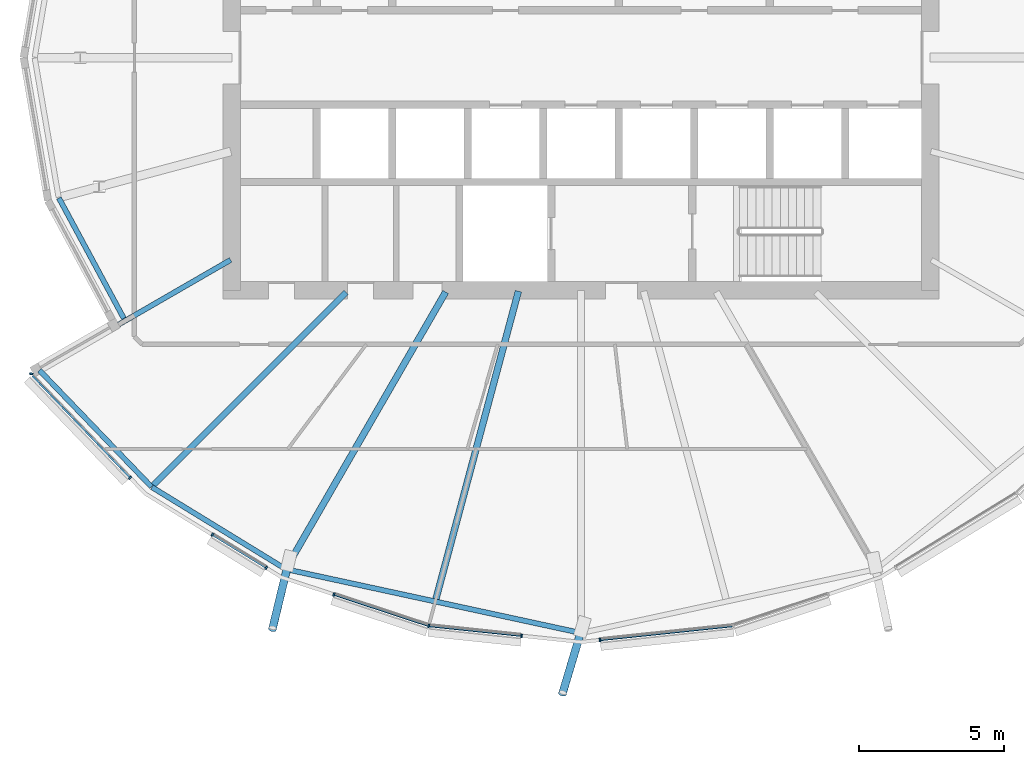
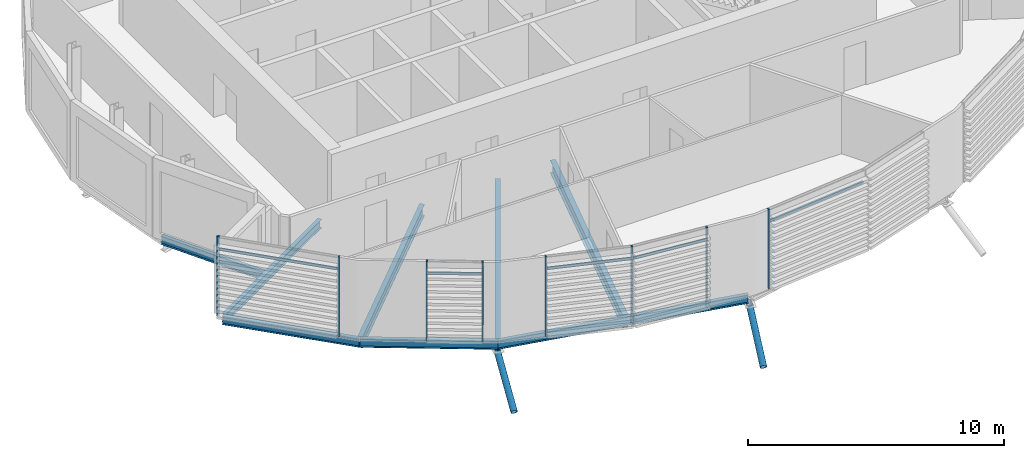
# One storey, part 3 of 37: 15 members, 8 beams, 1 element without a shape of its own.
"""IFC4 building model written with IfcOpenShell, lengths in metres."""

import ifcopenshell
import ifcopenshell.guid

model = None  # the IFC model being written
_history = None  # IfcOwnerHistory: only IFC2X3 demands one
_inside = {}  # id of a spatial element -> (the spatial element, [elements in it])
_under = {}  # id of a project, library or spatial element -> (it, [spatial elements below it])
_declared = {}  # id of a project -> (the project, [libraries it declares])
_typed = {}  # id of a type object -> (the type object, [elements of that type])
_made_of = {}  # id of a material, layer set ... -> (it, [elements and type objects made of it])


def new_model(schema):
    """Start an empty IFC model of exactly this schema.

    Asked for "IFC4X3", IfcOpenShell would pick the latest addendum, in which some entities
    have other attributes; the version numbers below select the first issue.
    IFC2X3 requires an IfcOwnerHistory on every rooted entity: one is made here for all.
    """
    global model, _history
    if schema == "IFC4X3":
        model = ifcopenshell.file(schema_version=(4, 3, 0, 0))
    else:
        model = ifcopenshell.file(schema=schema)
    _inside.clear()
    _under.clear()
    _declared.clear()
    _typed.clear()
    _made_of.clear()
    _history = None
    if model.schema == "IFC2X3":
        org = make("IfcOrganization", Name="unknown")
        user = make(
            "IfcPersonAndOrganization",
            ThePerson=make("IfcPerson", FamilyName="unknown"),
            TheOrganization=org,
        )
        app = make(
            "IfcApplication",
            ApplicationDeveloper=org,
            Version="unknown",
            ApplicationFullName="unknown",
            ApplicationIdentifier="unknown",
        )
        _history = make(
            "IfcOwnerHistory",
            OwningUser=user,
            OwningApplication=app,
            ChangeAction="ADDED",
            CreationDate=0,
        )
    return model


def make(cls, **values):
    """One entity of the class cls with the attributes given. An attribute that is None is left unset."""
    return model.create_entity(
        cls, **{name: value for name, value in values.items() if value is not None}
    )


def rooted(cls, **values):
    """An entity with a GlobalId (a new one), such as an element, a storey or a relation."""
    return make(cls, GlobalId=ifcopenshell.guid.new(), OwnerHistory=_history, **values)


def si_unit(unit_type, name, prefix=None):
    """IfcSIUnit, for example si_unit("LENGTHUNIT", "METRE", prefix="MILLI")."""
    return make("IfcSIUnit", UnitType=unit_type, Prefix=prefix, Name=name)


def assignment(units):
    """IfcUnitAssignment: the units of a project."""
    return None if units is None else make("IfcUnitAssignment", Units=units)


def point(xyz):
    """IfcCartesianPoint."""
    return None if xyz is None else make("IfcCartesianPoint", Coordinates=xyz)


def direction(xyz):
    """IfcDirection."""
    return None if xyz is None else make("IfcDirection", DirectionRatios=xyz)


def frame(location, z_axis=None, x_axis=None):
    """IfcAxis2Placement3D, a coordinate frame: its origin and axes. An axis left out is left unset."""
    return make(
        "IfcAxis2Placement3D",
        Location=point(location),
        Axis=direction(z_axis),
        RefDirection=direction(x_axis),
    )


def frame_2d(location, x_axis=None):
    """IfcAxis2Placement2D, a coordinate frame in the plane: its origin and x axis."""
    return make(
        "IfcAxis2Placement2D", Location=point(location), RefDirection=direction(x_axis)
    )


def origin():
    """The frame at (0, 0, 0) with its axes left unset."""
    return frame((0.0, 0.0, 0.0))


def origin_2d():
    """The frame at (0, 0) in the plane with its x axis left unset."""
    return frame_2d((0.0, 0.0))


def place(relative_to, where):
    """IfcLocalPlacement: puts the frame where relative to a parent placement (None: the world)."""
    return make(
        "IfcLocalPlacement", PlacementRelTo=relative_to, RelativePlacement=where
    )


def context(
    kind, dimensions, precision=None, world=None, true_north=None, identifier=None
):
    """IfcGeometricRepresentationContext, for example the 3D "Model" context."""
    return make(
        "IfcGeometricRepresentationContext",
        ContextIdentifier=identifier,
        ContextType=kind,
        CoordinateSpaceDimension=dimensions,
        Precision=precision,
        WorldCoordinateSystem=world,
        TrueNorth=true_north,
    )


def subcontext(parent, identifier, kind, view, scale=None):
    """IfcGeometricRepresentationSubContext, for example "Body" below "Model"."""
    return make(
        "IfcGeometricRepresentationSubContext",
        ContextIdentifier=identifier,
        ContextType=kind,
        ParentContext=parent,
        TargetScale=scale,
        TargetView=view,
    )


def project(units=None, contexts=None):
    """IfcProject with its units and contexts."""
    return rooted(
        "IfcProject",
        Name="project",
        RepresentationContexts=contexts,
        UnitsInContext=assignment(units),
    )


def spatial(cls, under=None, at=None, **own):
    """A site, building, storey or space (cls), placed at a placement, below another one or the project."""
    s = rooted(cls, ObjectPlacement=at, **own)
    if under is not None:
        _under.setdefault(under.id(), (under, []))[1].append(s)
    return s


def profile(cls, at=None, kind="AREA", **sizes):
    """A parametric profile (cls). Its sizes go by their IFC names, for example OverallWidth=200.0."""
    return make(cls, ProfileType=kind, Position=at, **sizes)


def rectangle(**sizes):
    """IfcRectangleProfileDef."""
    return profile("IfcRectangleProfileDef", **sizes)


def hollow_circle(**sizes):
    """IfcCircleHollowProfileDef."""
    return profile("IfcCircleHollowProfileDef", **sizes)


def i_section(**sizes):
    """IfcIShapeProfileDef."""
    return profile("IfcIShapeProfileDef", **sizes)


def extrude(swept, where, along, depth):
    """IfcExtrudedAreaSolid: the profile swept, set in the frame where, extruded along a direction by depth."""
    return make(
        "IfcExtrudedAreaSolid",
        SweptArea=swept,
        Position=where,
        ExtrudedDirection=direction(along),
        Depth=depth,
    )


def clip(a, b, op="DIFFERENCE"):
    """IfcBooleanClippingResult: the solid a cut by the half space b."""
    return make(
        "IfcBooleanClippingResult", Operator=op, FirstOperand=a, SecondOperand=b
    )


def halfspace(plane, agree):
    """IfcHalfSpaceSolid: all space on one side of the plane z = 0 of the frame plane."""
    return make(
        "IfcHalfSpaceSolid",
        BaseSurface=make("IfcPlane", Position=plane),
        AgreementFlag=agree,
    )


def shape(context_of_items, identifier, shape_type, items):
    """IfcShapeRepresentation: the items that make up one representation, for example the "Body"."""
    return make(
        "IfcShapeRepresentation",
        ContextOfItems=context_of_items,
        RepresentationIdentifier=identifier,
        RepresentationType=shape_type,
        Items=items,
    )


def material(Name=None, Category=None):
    """IfcMaterial."""
    return make("IfcMaterial", Name=Name, Category=Category)


def material_profile(
    of_material, cross_section, Name=None, Category=None, Priority=None
):
    """IfcMaterialProfile: a cross section and its material."""
    return make(
        "IfcMaterialProfile",
        Name=Name,
        Material=of_material,
        Profile=cross_section,
        Priority=Priority,
        Category=Category,
    )


def profile_set(profiles, Name=None, composite=None):
    """IfcMaterialProfileSet."""
    return make(
        "IfcMaterialProfileSet",
        Name=Name,
        MaterialProfiles=profiles,
        CompositeProfile=composite,
    )


def made_of(thing, what):
    """Note that an element or type object is made of a material, layer set ...; save() writes the relation."""
    if what is not None:
        _made_of.setdefault(what.id(), (what, []))[1].append(thing)
    return thing


def type_object(cls, material=None, **own):
    """A type object (cls), such as IfcWallType, which elements share."""
    return made_of(rooted(cls, **own), material)


def element(
    cls,
    number,
    at=None,
    inside=None,
    cuts=None,
    type_object=None,
    material=None,
    context=None,
    identifier="Body",
    shape_type=None,
    held_by="IfcProductDefinitionShape",
    body=None,
    shapes=None,
    **own,
):
    """One element of the class cls, such as IfcWall. Its Tag is "e" and its number.

    at: its placement. inside: the storey or other place that contains it. cuts: it is an
    opening in that element (IfcRelVoidsElement). A single representation is given by context,
    identifier, shape_type and body (its items); several are given by shapes. held_by: the class
    of the entity that holds the representations. save() writes the other relations.
    """
    e = rooted(cls, Tag="e%d" % number, ObjectPlacement=at, **own)
    if body is not None:
        shapes = [shape(context, identifier, shape_type, body)]
    if shapes is not None:
        e.Representation = make(held_by, Representations=shapes)
    if inside is not None:
        _inside.setdefault(inside.id(), (inside, []))[1].append(e)
    if cuts is not None:
        rooted(
            "IfcRelVoidsElement", RelatingBuildingElement=cuts, RelatedOpeningElement=e
        )
    if type_object is not None:
        _typed.setdefault(type_object.id(), (type_object, []))[1].append(e)
    return made_of(e, material)


def aggregate(whole, parts):
    """IfcRelAggregates: a whole, such as a stair, and the parts it consists of."""
    return rooted("IfcRelAggregates", RelatingObject=whole, RelatedObjects=parts)


def save(model, path):
    """Write the relations noted so far, then the file.

    IfcRelAggregates (storeys below a building ...), IfcRelContainedInSpatialStructure (elements
    in a storey), IfcRelDefinesByType, IfcRelAssociatesMaterial and IfcRelDeclares: one each for
    every whole, place, type object, material and project.
    """
    for whole, parts in _under.values():
        aggregate(whole, parts)
    for where, things in _inside.values():
        rooted(
            "IfcRelContainedInSpatialStructure",
            RelatedElements=things,
            RelatingStructure=where,
        )
    for kind, things in _typed.values():
        rooted("IfcRelDefinesByType", RelatedObjects=things, RelatingType=kind)
    for what, things in _made_of.values():
        rooted("IfcRelAssociatesMaterial", RelatedObjects=things, RelatingMaterial=what)
    for by, libraries in _declared.values():
        rooted("IfcRelDeclares", RelatingContext=by, RelatedDefinitions=libraries)
    model.write(path)


model = new_model("IFC4")

# Units and contexts
model_context = context("Model", 3, precision=1e-05, world=origin(), true_north=direction((0.0, 1.0)))
body_context = subcontext(model_context, "Body", "Model", "MODEL_VIEW")
ifc_project = project(units=[si_unit("LENGTHUNIT", "METRE"), si_unit("AREAUNIT", "SQUARE_METRE"), si_unit("VOLUMEUNIT", "CUBIC_METRE"), si_unit("PLANEANGLEUNIT", "RADIAN"), si_unit("MASSUNIT", "GRAM", prefix="KILO")], contexts=[model_context])

# Site, building, storey
site_placement = place(None, origin())
site = spatial("IfcSite", under=ifc_project, at=site_placement, CompositionType="ELEMENT")
building_placement = place(site_placement, origin())
building = spatial("IfcBuilding", under=site, at=building_placement, Name="Rimbun Link Towers", CompositionType="ELEMENT")
storey_placement = place(building_placement, frame((0.0, 0.0, 162.699951171875)))
storey = spatial("IfcBuildingStorey", under=building, at=storey_placement, Name="L39", CompositionType="ELEMENT", Elevation=162.699951171875)

# Curtain wall, members
ifc_material_1 = material(Name="Aluminium 6063-T6 and low-iron glass", Category="aluminium")
curtain_wall_type = type_object("IfcCurtainWallType", Name="CW1-Z3 unitised vision wall (zone 3)", PredefinedType="NOTDEFINED", material=ifc_material_1)
curtain_wall_placement = place(storey_placement, origin())
curtain_wall = element("IfcCurtainWall", 1, at=curtain_wall_placement, inside=storey, type_object=curtain_wall_type, Name="CW1 L39 T1", PredefinedType="NOTDEFINED")
ifc_material_2 = material(Name="Aluminium 6063-T6", Category="aluminium")
ifc_material_profile_1 = material_profile(ifc_material_2, rectangle(XDim=0.1201171875, YDim=0.06005859375, at=origin_2d()), Name="MULLION 60X120")
ifc_profile_set_1 = profile_set([ifc_material_profile_1], Name="Aluminium 6063-T6")
member_type_1 = type_object("IfcMemberType", Name="CW1 mullion 60X120", PredefinedType="MULLION", material=ifc_profile_set_1)
member_1_placement = place(storey_placement, frame((-47.255126953125, -14.44287109375, 0.0), z_axis=(0.0, 0.0, 1.0), x_axis=(-0.721847376977, -0.692052284405, 0.0)))
member_1 = element("IfcMember", 2, at=member_1_placement, type_object=member_type_1, Name="CW1 mullion", PredefinedType="MULLION", context=body_context, shape_type="SweptSolid", body=[
    extrude(rectangle(XDim=0.1201171875, YDim=0.06005859375, at=origin_2d()), origin(), (0.0, 0.0, 1.0), 3.800048828125),
])
member_2_placement = place(storey_placement, frame((-50.649658203125, -10.868896484375, 0.0), z_axis=(0.0, 0.0, 1.0), x_axis=(-0.990014643373, 0.140964555497, 0.0)))
member_2 = element("IfcMember", 3, at=member_2_placement, type_object=member_type_1, Name="CW1 mullion", PredefinedType="MULLION", context=body_context, shape_type="SweptSolid", body=[
    extrude(rectangle(XDim=0.1201171875, YDim=0.06005859375, at=origin_2d()), origin(), (0.0, 0.0, 1.0), 3.800048828125),
])
member_3_placement = place(storey_placement, frame((-42.57275390625, -17.542724609375, 0.0), z_axis=(0.0, 0.0, 1.0), x_axis=(-0.523249760653, -0.85217937547, 0.0)))
member_3 = element("IfcMember", 4, at=member_3_placement, type_object=member_type_1, Name="CW1 mullion", PredefinedType="MULLION", context=body_context, shape_type="SweptSolid", body=[
    extrude(rectangle(XDim=0.1201171875, YDim=0.06005859375, at=origin_2d()), origin(), (0.0, 0.0, 1.0), 3.800048828125),
])
member_4_placement = place(storey_placement, frame((-44.423095703125, -16.406494140625, 0.0), z_axis=(0.0, 0.0, 1.0), x_axis=(-0.523249760653, -0.85217937547, 0.0)))
member_4 = element("IfcMember", 5, at=member_4_placement, type_object=member_type_1, Name="CW1 mullion", PredefinedType="MULLION", context=body_context, shape_type="SweptSolid", body=[
    extrude(rectangle(XDim=0.1201171875, YDim=0.06005859375, at=origin_2d()), origin(), (0.0, 0.0, 1.0), 3.800048828125),
])
member_5_placement = place(storey_placement, frame((-36.98291015625, -19.541015625, 0.0), z_axis=(0.0, 0.0, 1.0), x_axis=(-0.210865888506, -0.977515000941, 0.0)))
member_5 = element("IfcMember", 6, at=member_5_placement, type_object=member_type_1, Name="CW1 mullion", PredefinedType="MULLION", context=body_context, shape_type="SweptSolid", body=[
    extrude(rectangle(XDim=0.1201171875, YDim=0.06005859375, at=origin_2d()), origin(), (0.0, 0.0, 1.0), 3.800048828125),
])
member_6_placement = place(storey_placement, frame((-40.245361328125, -18.460205078125, 0.0), z_axis=(0.0, 0.0, 1.0), x_axis=(-0.314555722988, -0.949239009489, 0.0)))
member_6 = element("IfcMember", 7, at=member_6_placement, type_object=member_type_1, Name="CW1 mullion", PredefinedType="MULLION", context=body_context, shape_type="SweptSolid", body=[
    extrude(rectangle(XDim=0.1201171875, YDim=0.06005859375, at=origin_2d()), origin(), (0.0, 0.0, 1.0), 3.800048828125),
])
member_7_placement = place(storey_placement, frame((-33.794921875, -19.876953125, 0.0), z_axis=(0.0, 0.0, 1.0), x_axis=(-0.104740318219, -0.994499605701, 0.0)))
member_7 = element("IfcMember", 8, at=member_7_placement, type_object=member_type_1, Name="CW1 mullion", PredefinedType="MULLION", context=body_context, shape_type="SweptSolid", body=[
    extrude(rectangle(XDim=0.1201171875, YDim=0.06005859375, at=origin_2d()), origin(), (0.0, 0.0, 1.0), 3.800048828125),
])
member_8_placement = place(storey_placement, frame((-31.097412109375, -20.023681640625, 0.0), z_axis=(0.0, 0.0, 1.0), x_axis=(0.104740318219, -0.994499605701, 0.0)))
member_8 = element("IfcMember", 9, at=member_8_placement, type_object=member_type_1, Name="CW1 mullion", PredefinedType="MULLION", context=body_context, shape_type="SweptSolid", body=[
    extrude(rectangle(XDim=0.1201171875, YDim=0.06005859375, at=origin_2d()), origin(), (0.0, 0.0, 1.0), 3.800048828125),
])
ifc_material_3 = material(Name="Aluminium 6063-T6", Category="aluminium")
ifc_material_profile_2 = material_profile(ifc_material_3, rectangle(XDim=0.06005859375, YDim=0.1201171875, at=origin_2d()), Name="TRANSOM 60X120")
ifc_profile_set_2 = profile_set([ifc_material_profile_2], Name="Aluminium 6063-T6")
member_type_2 = type_object("IfcMemberType", Name="CW1 transom 60X120", PredefinedType="USERDEFINED", material=ifc_profile_set_2)
member_9_placement = place(storey_placement, frame((-47.2744140625, -14.419677734375, 3.199951171875), z_axis=(-0.692063709169, 0.721836423611, 0.0), x_axis=(-0.721836423611, -0.692063709169, 0.0)))
member_9 = element("IfcMember", 10, at=member_9_placement, type_object=member_type_2, Name="CW1 transom", ObjectType="TRANSOM", PredefinedType="USERDEFINED", context=body_context, shape_type="SweptSolid", body=[
    extrude(rectangle(XDim=0.06005859375, YDim=0.1201171875, at=origin_2d()), origin(), (0.0, 0.0, 1.0), 4.82177734375),
])
member_10_placement = place(storey_placement, frame((-42.597412109375, -17.525390625, 3.199951171875), z_axis=(-0.852162178984, 0.523277766305, 0.0), x_axis=(-0.523277766305, -0.852162178984, 0.0)))
member_10 = element("IfcMember", 11, at=member_10_placement, type_object=member_type_2, Name="CW1 transom", ObjectType="TRANSOM", PredefinedType="USERDEFINED", context=body_context, shape_type="SweptSolid", body=[
    extrude(rectangle(XDim=0.06005859375, YDim=0.1201171875, at=origin_2d()), origin(), (0.0, 0.0, 1.0), 2.111083984375),
])
member_11_placement = place(storey_placement, frame((-37.01708984375, -19.52783203125, 3.199951171875), z_axis=(-0.949246811547, 0.314532177636, 0.0), x_axis=(-0.314532177636, -0.949246811547, 0.0)))
member_11 = element("IfcMember", 12, at=member_11_placement, type_object=member_type_2, Name="CW1 transom", ObjectType="TRANSOM", PredefinedType="USERDEFINED", context=body_context, shape_type="SweptSolid", body=[
    extrude(rectangle(XDim=0.06005859375, YDim=0.1201171875, at=origin_2d()), origin(), (0.0, 0.0, 1.0), 3.370361328125),
])
member_12_placement = place(storey_placement, frame((-33.82470703125, -19.871826171875, 3.199951171875), z_axis=(-0.994505452921, 0.104684784518, 0.0), x_axis=(-0.104684784518, -0.994505452921, 0.0)))
member_12 = element("IfcMember", 13, at=member_12_placement, type_object=member_type_2, Name="CW1 transom", ObjectType="TRANSOM", PredefinedType="USERDEFINED", context=body_context, shape_type="SweptSolid", body=[
    extrude(rectangle(XDim=0.06005859375, YDim=0.1201171875, at=origin_2d()), origin(), (0.0, 0.0, 1.0), 3.13916015625),
])
member_13_placement = place(storey_placement, frame((-26.553466796875, -19.543212890625, 3.199951171875), z_axis=(-0.99450162093, -0.104721182042, 0.0), x_axis=(0.104721182042, -0.99450162093, 0.0)))
member_13 = element("IfcMember", 14, at=member_13_placement, type_object=member_type_2, Name="CW1 transom", ObjectType="TRANSOM", PredefinedType="USERDEFINED", context=body_context, shape_type="SweptSolid", body=[
    extrude(rectangle(XDim=0.06005859375, YDim=0.1201171875, at=origin_2d()), origin(), (0.0, 0.0, 1.0), 4.5390625),
])
aggregate(curtain_wall, [member_1, member_2, member_3, member_4, member_5, member_6, member_7, member_8, member_9, member_10, member_11, member_12, member_13])

# Members
ifc_material_4 = material(Name="Steel S355J2H", Category="steel")
ifc_material_profile_3 = material_profile(ifc_material_4, hollow_circle(Radius=0.136474609375, WallThickness=0.012451171875, at=origin_2d()), Name="CHS 273x12.5")
ifc_profile_set_3 = profile_set([ifc_material_profile_3], Name="Steel S355J2H")
member_type_3 = type_object("IfcMemberType", Name="Floor edge link CHS 273x12.5", PredefinedType="BRACE", material=ifc_profile_set_3)
member_14_placement = place(storey_placement, frame((-41.83251953125, -17.46337890625, -0.870361328125), z_axis=(-0.20279594437, -0.842239244974, -0.499506615744), x_axis=(0.972214536351, -0.234091638695, 0.0)))
element("IfcMember", 15, at=member_14_placement, inside=storey, type_object=member_type_3, Name="Floor edge link T1 L39 16", PredefinedType="BRACE", context=body_context, shape_type="Clipping", body=[
    clip(extrude(hollow_circle(Radius=0.136474609375, WallThickness=0.012451171875, at=origin_2d()), frame((0.0, 0.0, -0.49365234375)), (0.0, 0.0, 1.0), 3.103515625), halfspace(frame((0.0, 0.0, -0.23193359375), z_axis=(0.0, 0.866310071988, -0.499506615744)), False)),
])
member_15_placement = place(storey_placement, frame((-31.75, -19.730712890625, -0.8701171875), z_axis=(-0.247341327356, -0.827986156364, -0.503250626082), x_axis=(0.95816149615, -0.286228138547, 0.0)))
element("IfcMember", 16, at=member_15_placement, inside=storey, type_object=member_type_3, Name="Floor edge link T1 L39 18", PredefinedType="BRACE", context=body_context, shape_type="Clipping", body=[
    clip(extrude(hollow_circle(Radius=0.136474609375, WallThickness=0.012451171875, at=origin_2d()), frame((0.0, 0.0, -0.488525390625)), (0.0, 0.0, 1.0), 3.08154296875), halfspace(frame((0.0, 0.0, -0.229736328125), z_axis=(0.0, 0.864140502088, -0.503250626082)), False)),
])

# Beams
ifc_material_5 = material(Name="Steel S355J2", Category="steel")
ifc_material_profile_4 = material_profile(ifc_material_5, i_section(OverallWidth=0.177978515625, OverallDepth=0.406494140625, WebThickness=0.0078125, FlangeThickness=0.0126953125, at=origin_2d()), Name="UB 406x178x60")
ifc_profile_set_4 = profile_set([ifc_material_profile_4], Name="Steel S355J2")
beam_type_1 = type_object("IfcBeamType", Name="UB 406x178x60", PredefinedType="BEAM", material=ifc_profile_set_4)
beam_1_placement = place(storey_placement, frame((-43.79541015625, -6.954345703125, -0.353271484375), z_axis=(-0.86602178857, -0.500006261682, 0.0), x_axis=(0.500006261682, -0.86602178857, 0.0)))
element("IfcBeam", 17, at=beam_1_placement, inside=storey, type_object=beam_type_1, Name="Radial beam T1 L39 14", PredefinedType="BEAM", context=body_context, shape_type="SweptSolid", body=[
    extrude(i_section(OverallWidth=0.177978515625, OverallDepth=0.406494140625, WebThickness=0.0078125, FlangeThickness=0.0126953125, at=origin_2d()), origin(), (0.0, 0.0, 1.0), 7.49609375),
])
beam_2_placement = place(storey_placement, frame((-49.699462890625, -4.8251953125, -0.353271484375), z_axis=(0.474746351727, -0.88012266277, 0.0), x_axis=(0.88012266277, 0.474746351727, 0.0)))
element("IfcBeam", 18, at=beam_2_placement, inside=storey, type_object=beam_type_1, Name="Edge beam T1 L39 13 recess", PredefinedType="BEAM", context=body_context, shape_type="SweptSolid", body=[
    extrude(i_section(OverallWidth=0.177978515625, OverallDepth=0.406494140625, WebThickness=0.0078125, FlangeThickness=0.0126953125, at=origin_2d()), origin(), (0.0, 0.0, 1.0), 4.705322265625),
])
beam_3_placement = place(storey_placement, frame((-50.36669921875, -10.74951171875, -0.353271484375), z_axis=(0.692983908202, -0.720953051851, 0.0), x_axis=(0.720953051851, 0.692983908202, 0.0)))
element("IfcBeam", 19, at=beam_3_placement, inside=storey, type_object=beam_type_1, Name="Edge beam T1 L39 14", PredefinedType="BEAM", context=body_context, shape_type="SweptSolid", body=[
    extrude(i_section(OverallWidth=0.177978515625, OverallDepth=0.406494140625, WebThickness=0.0078125, FlangeThickness=0.0126953125, at=origin_2d()), origin(), (0.0, 0.0, 1.0), 5.551513671875),
])
beam_4_placement = place(storey_placement, frame((-46.500244140625, -14.767333984375, -0.353271484375), z_axis=(0.852668932789, -0.522451615996, 0.0), x_axis=(0.522451615996, 0.852668932789, 0.0)))
element("IfcBeam", 20, at=beam_4_placement, inside=storey, type_object=beam_type_1, Name="Edge beam T1 L39 15", PredefinedType="BEAM", context=body_context, shape_type="SweptSolid", body=[
    extrude(i_section(OverallWidth=0.177978515625, OverallDepth=0.406494140625, WebThickness=0.0078125, FlangeThickness=0.0126953125, at=origin_2d()), origin(), (0.0, 0.0, 1.0), 5.39111328125),
])
beam_5_placement = place(storey_placement, frame((-41.901611328125, -17.584716796875, -0.353271484375), z_axis=(0.97739385388, -0.211426711648, 0.0), x_axis=(0.211426711648, 0.97739385388, 0.0)))
element("IfcBeam", 21, at=beam_5_placement, inside=storey, type_object=beam_type_1, Name="Edge beam T1 L39 16-18", PredefinedType="BEAM", context=body_context, shape_type="SweptSolid", body=[
    extrude(i_section(OverallWidth=0.177978515625, OverallDepth=0.406494140625, WebThickness=0.0078125, FlangeThickness=0.0126953125, at=origin_2d()), origin(), (0.0, 0.0, 1.0), 10.26904296875),
])
ifc_material_6 = material(Name="Steel S355J2", Category="steel")
ifc_material_profile_5 = material_profile(ifc_material_6, i_section(OverallWidth=0.209228515625, OverallDepth=0.533203125, WebThickness=0.010009765625, FlangeThickness=0.015625, at=origin_2d()), Name="UB 533x210x92")
ifc_profile_set_5 = profile_set([ifc_material_profile_5], Name="Steel S355J2")
beam_type_2 = type_object("IfcBeamType", Name="UB 533x210x92", PredefinedType="BEAM", material=ifc_profile_set_5)
beam_6_placement = place(storey_placement, frame((-39.82470703125, -8.07470703125, -0.41650390625), z_axis=(-0.707106781187, -0.707106781187, 0.0), x_axis=(0.707106781187, -0.707106781187, 0.0)))
element("IfcBeam", 22, at=beam_6_placement, inside=storey, type_object=beam_type_2, Name="Radial beam T1 L39 15", PredefinedType="BEAM", context=body_context, shape_type="SweptSolid", body=[
    extrude(i_section(OverallWidth=0.209228515625, OverallDepth=0.533203125, WebThickness=0.010009765625, FlangeThickness=0.015625, at=origin_2d()), origin(), (0.0, 0.0, 1.0), 9.365478515625),
])
ifc_material_7 = material(Name="Steel S355J2", Category="steel")
ifc_material_profile_6 = material_profile(ifc_material_7, i_section(OverallWidth=0.2275390625, OverallDepth=0.6025390625, WebThickness=0.010498046875, FlangeThickness=0.014892578125, at=origin_2d()), Name="UB 610x229x101")
ifc_profile_set_6 = profile_set([ifc_material_profile_6], Name="Steel S355J2")
beam_type_3 = type_object("IfcBeamType", Name="UB 610x229x101", PredefinedType="BEAM", material=ifc_profile_set_6)
beam_7_placement = place(storey_placement, frame((-36.402099609375, -8.057861328125, -0.451171875), z_axis=(-0.500006543176, -0.866021626047, 0.0), x_axis=(0.866021626047, -0.500006543176, 0.0)))
element("IfcBeam", 23, at=beam_7_placement, inside=storey, type_object=beam_type_3, Name="Radial beam T1 L39 16", PredefinedType="BEAM", context=body_context, shape_type="SweptSolid", body=[
    extrude(i_section(OverallWidth=0.2275390625, OverallDepth=0.6025390625, WebThickness=0.010498046875, FlangeThickness=0.014892578125, at=origin_2d()), origin(), (0.0, 0.0, 1.0), 10.910400390625),
])
beam_8_placement = place(storey_placement, frame((-33.901611328125, -8.030517578125, -0.451171875), z_axis=(-0.258833388669, -0.965921982828, 0.0), x_axis=(0.965921982828, -0.258833388669, 0.0)))
element("IfcBeam", 24, at=beam_8_placement, inside=storey, type_object=beam_type_3, Name="Radial beam T1 L39 17", PredefinedType="BEAM", context=body_context, shape_type="SweptSolid", body=[
    extrude(i_section(OverallWidth=0.2275390625, OverallDepth=0.6025390625, WebThickness=0.010498046875, FlangeThickness=0.014892578125, at=origin_2d()), origin(), (0.0, 0.0, 1.0), 10.952880859375),
])

save(model, "model.ifc")
